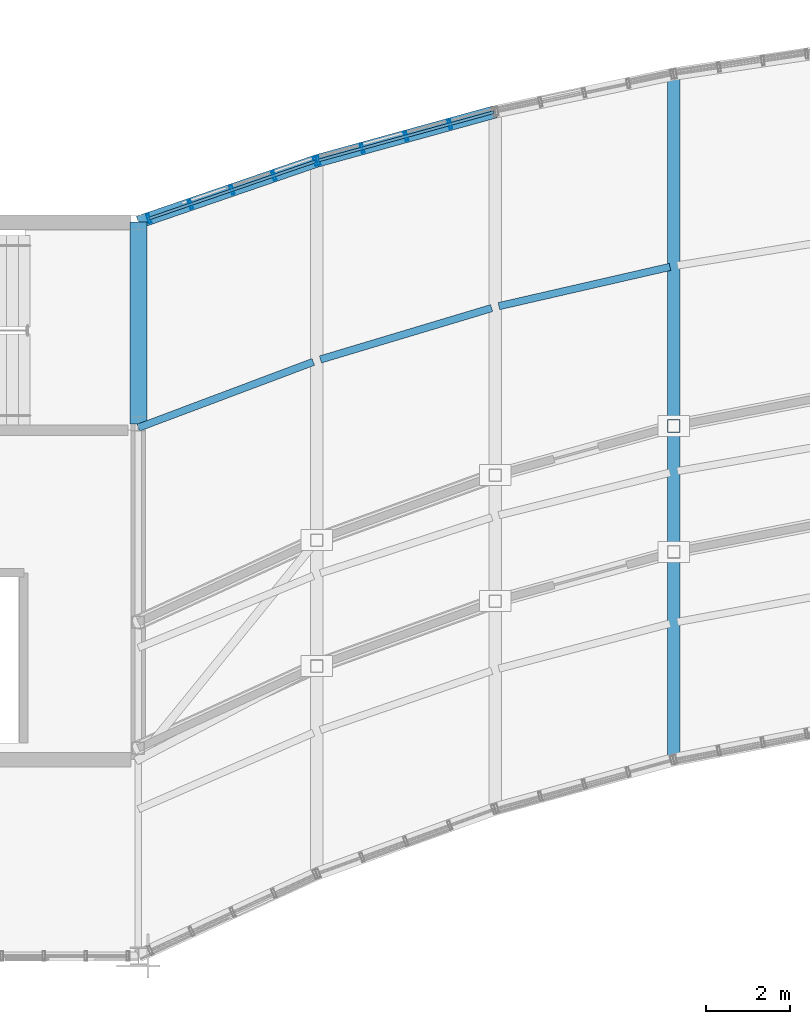
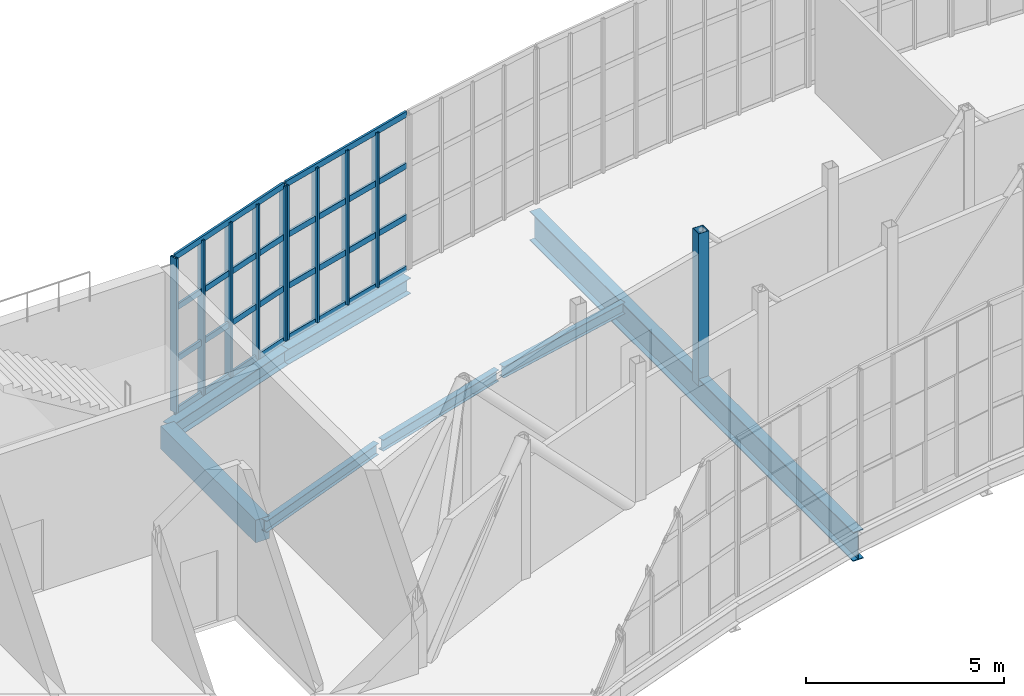
# One storey, part 25 of 46: 18 members, 7 beams, 2 elements without a shape of their own.
"""IFC4 building model written with IfcOpenShell, lengths in metres."""

from ifc_helpers import new_model, si_unit, direction, frame, origin, origin_2d, place, context, subcontext, project, spatial, rectangle, hollow_rectangle, i_section, extrude, material, material_profile, profile_set, type_object, element, aggregate, save


model = new_model("IFC4")

# Units and contexts
model_context = context("Model", 3, precision=1e-05, world=origin(), true_north=direction((0.0, 1.0)))
body_context = subcontext(model_context, "Body", "Model", "MODEL_VIEW")
ifc_project = project(units=[si_unit("LENGTHUNIT", "METRE"), si_unit("AREAUNIT", "SQUARE_METRE"), si_unit("VOLUMEUNIT", "CUBIC_METRE"), si_unit("PLANEANGLEUNIT", "RADIAN"), si_unit("MASSUNIT", "GRAM", prefix="KILO")], contexts=[model_context])

# Site, building, storey
site_placement = place(None, origin())
site = spatial("IfcSite", under=ifc_project, at=site_placement, CompositionType="ELEMENT")
building_placement = place(site_placement, origin())
building = spatial("IfcBuilding", under=site, at=building_placement, Name="Solvikara Media Centre", CompositionType="ELEMENT")
storey_placement = place(building_placement, frame((0.0, 0.0, 24.60009765625)))
storey = spatial("IfcBuildingStorey", under=building, at=storey_placement, Name="L05", CompositionType="ELEMENT", Elevation=24.60009765625)

# Beams
ifc_material_1 = material(Name="Concrete fc' 35 MPa (C35/45)", Category="concrete")
ifc_material_profile_1 = material_profile(ifc_material_1, rectangle(XDim=0.39990234375, YDim=0.699951171875, at=origin_2d()), Name="RC 400x700")
ifc_profile_set_1 = profile_set([ifc_material_profile_1], Name="Concrete fc' 35 MPa (C35/45)")
beam_type_1 = type_object("IfcBeamType", Name="BM-13", PredefinedType="SPANDREL", material=ifc_profile_set_1)
beam_1_placement = place(storey_placement, frame((76.5, 32.0, -0.570068359375), z_axis=(0.0, 1.0, 0.0), x_axis=(-1.0, 0.0, 0.0)))
element("IfcBeam", 1, at=beam_1_placement, inside=storey, type_object=beam_type_1, Name="B-L05-Y1669", PredefinedType="SPANDREL", context=body_context, shape_type="SweptSolid", body=[
    extrude(rectangle(XDim=0.39990234375, YDim=0.699951171875, at=origin_2d()), origin(), (0.0, 0.0, 1.0), 4.800048828125),
])
ifc_material_2 = material(Name="Steel S355JR", Category="steel")
ifc_material_profile_2 = material_profile(ifc_material_2, i_section(OverallWidth=0.300048828125, OverallDepth=0.89990234375, WebThickness=0.01611328125, FlangeThickness=0.028076171875, at=origin_2d()), Name="WF 900x300x16x28")
ifc_profile_set_2 = profile_set([ifc_material_profile_2], Name="Steel S355JR")
beam_type_2 = type_object("IfcBeamType", Name="BM-15", PredefinedType="BEAM", material=ifc_profile_set_2)
beam_2_placement = place(storey_placement, frame((89.25, 23.99609375, -0.672119140625), z_axis=(0.0, 1.0, 0.0), x_axis=(-1.0, 0.0, 0.0)))
element("IfcBeam", 2, at=beam_2_placement, inside=storey, type_object=beam_type_2, Name="BG-L05-NS-03", PredefinedType="BEAM", context=body_context, shape_type="SweptSolid", body=[
    extrude(i_section(OverallWidth=0.300048828125, OverallDepth=0.89990234375, WebThickness=0.01611328125, FlangeThickness=0.028076171875, at=origin_2d()), origin(), (0.0, 0.0, 1.0), 16.3330078125),
])
ifc_material_profile_3 = material_profile(ifc_material_2, i_section(OverallWidth=0.175048828125, OverallDepth=0.35009765625, WebThickness=0.007080078125, FlangeThickness=0.010986328125, at=origin_2d()), Name="WF 350x175x7x11")
ifc_profile_set_3 = profile_set([ifc_material_profile_3], Name="Steel S355JR")
beam_type_3 = type_object("IfcBeamType", Name="BM-22", PredefinedType="JOIST", material=ifc_profile_set_3)
beam_3_placement = place(storey_placement, frame((76.5, 31.906982421875, -0.397216796875), z_axis=(0.936058378207, 0.351844727955, 0.0), x_axis=(-0.351844727955, 0.936058378207, 0.0)))
element("IfcBeam", 3, at=beam_3_placement, inside=storey, type_object=beam_type_3, Name="BJ-L05-00-72", PredefinedType="JOIST", context=body_context, shape_type="SweptSolid", body=[
    extrude(i_section(OverallWidth=0.175048828125, OverallDepth=0.35009765625, WebThickness=0.007080078125, FlangeThickness=0.010986328125, at=origin_2d()), origin(), (0.0, 0.0, 1.0), 4.45068359375),
])
beam_4_placement = place(storey_placement, frame((80.8359375, 33.531005859375, -0.397216796875), z_axis=(0.95779787385, 0.287442573133, 0.0), x_axis=(-0.287442573133, 0.95779787385, 0.0)))
element("IfcBeam", 4, at=beam_4_placement, inside=storey, type_object=beam_type_3, Name="BJ-L05-01-72", PredefinedType="JOIST", context=body_context, shape_type="SweptSolid", body=[
    extrude(i_section(OverallWidth=0.175048828125, OverallDepth=0.35009765625, WebThickness=0.007080078125, FlangeThickness=0.010986328125, at=origin_2d()), origin(), (0.0, 0.0, 1.0), 4.2578125),
])
beam_5_placement = place(storey_placement, frame((85.087890625, 34.801025390625, -0.397216796875), z_axis=(0.974660207056, 0.223690591624, 0.0), x_axis=(-0.223690591624, 0.974660207056, 0.0)))
element("IfcBeam", 5, at=beam_5_placement, inside=storey, type_object=beam_type_3, Name="BJ-L05-02-72", PredefinedType="JOIST", context=body_context, shape_type="SweptSolid", body=[
    extrude(i_section(OverallWidth=0.175048828125, OverallDepth=0.35009765625, WebThickness=0.007080078125, FlangeThickness=0.010986328125, at=origin_2d()), origin(), (0.0, 0.0, 1.0), 4.18017578125),
])
ifc_material_profile_4 = material_profile(ifc_material_2, i_section(OverallWidth=0.300048828125, OverallDepth=0.48193359375, WebThickness=0.010986328125, FlangeThickness=0.014892578125, at=origin_2d()), Name="WF 482x300x11x15")
ifc_profile_set_4 = profile_set([ifc_material_profile_4], Name="Steel S355JR")
beam_type_4 = type_object("IfcBeamType", Name="BM-32", PredefinedType="SPANDREL", material=ifc_profile_set_4)
beam_6_placement = place(storey_placement, frame((76.5, 36.800048828125, -0.463134765625), z_axis=(0.945753386984, 0.324885412119, 0.0), x_axis=(-0.324885412119, 0.945753386984, 0.0)))
element("IfcBeam", 6, at=beam_6_placement, inside=storey, type_object=beam_type_4, Name="B-L05-NARC-00", PredefinedType="SPANDREL", context=body_context, shape_type="SweptSolid", body=[
    extrude(i_section(OverallWidth=0.300048828125, OverallDepth=0.48193359375, WebThickness=0.010986328125, FlangeThickness=0.014892578125, at=origin_2d()), origin(), (0.0, 0.0, 1.0), 4.49365234375),
])
beam_7_placement = place(storey_placement, frame((80.75, 38.260009765625, -0.463134765625), z_axis=(0.964080686077, 0.265609545636, 0.0), x_axis=(-0.265609545636, 0.964080686077, 0.0)))
element("IfcBeam", 7, at=beam_7_placement, inside=storey, type_object=beam_type_4, Name="B-L05-NARC-01", PredefinedType="SPANDREL", context=body_context, shape_type="SweptSolid", body=[
    extrude(i_section(OverallWidth=0.300048828125, OverallDepth=0.48193359375, WebThickness=0.010986328125, FlangeThickness=0.014892578125, at=origin_2d()), origin(), (0.0, 0.0, 1.0), 4.408447265625),
])

# Member
ifc_material_profile_5 = material_profile(ifc_material_2, hollow_rectangle(XDim=0.300048828125, YDim=0.300048828125, WallThickness=0.012451171875, at=origin_2d()), Name="RHS 300x300x12.5")
ifc_profile_set_5 = profile_set([ifc_material_profile_5], Name="Steel S355JR")
member_type_1 = type_object("IfcMemberType", Name="MB-11", PredefinedType="CHORD", material=ifc_profile_set_5)
member_1_placement = place(storey_placement, frame((89.25, 31.946044921875, -0.4501953125), z_axis=(0.0, 0.0, 1.0), x_axis=(1.0, 0.0, 0.0)))
element("IfcMember", 8, at=member_1_placement, inside=storey, type_object=member_type_1, Name="WTR-L05-N-V03", PredefinedType="CHORD", context=body_context, shape_type="SweptSolid", body=[
    extrude(hollow_rectangle(XDim=0.300048828125, YDim=0.300048828125, WallThickness=0.012451171875, at=origin_2d()), origin(), (0.0, 0.0, 1.0), 4.7001953125),
])

# Curtain wall, members
ifc_material_3 = material(Name="Anodised aluminium EN AW-6063", Category="aluminium")
curtain_wall_type = type_object("IfcCurtainWallType", Name="CW-02", PredefinedType="NOTDEFINED", material=ifc_material_3)
curtain_wall_1_placement = place(storey_placement, origin())
curtain_wall_1 = element("IfcCurtainWall", 9, at=curtain_wall_1_placement, inside=storey, type_object=curtain_wall_type, Name="CW-L05-NARC-00", PredefinedType="NOTDEFINED")
ifc_material_profile_6 = material_profile(ifc_material_3, hollow_rectangle(XDim=0.06494140625, YDim=0.219970703125, WallThickness=0.00390625, at=origin_2d()), Name="ALU-M 65x220x4")
ifc_profile_set_6 = profile_set([ifc_material_profile_6], Name="Anodised aluminium EN AW-6063")
member_type_2 = type_object("IfcMemberType", Name="MF-01", PredefinedType="MULLION", material=ifc_profile_set_6)
member_2_placement = place(storey_placement, frame((76.748046875, 36.885009765625, 0.02001953125), z_axis=(0.0, 0.0, 1.0), x_axis=(0.945711605144, 0.32500701515, 0.0)))
member_2 = element("IfcMember", 10, at=member_2_placement, type_object=member_type_2, Name="CW-L05-NARC-00-M00", PredefinedType="MULLION", context=body_context, shape_type="SweptSolid", body=[
    extrude(hollow_rectangle(XDim=0.06494140625, YDim=0.219970703125, WallThickness=0.00390625, at=origin_2d()), origin(), (0.0, 0.0, 1.0), 4.759765625),
])
member_3_placement = place(storey_placement, frame((77.739990234375, 37.22607421875, 0.02001953125), z_axis=(0.0, 0.0, 1.0), x_axis=(0.945711605144, 0.32500701515, 0.0)))
member_3 = element("IfcMember", 11, at=member_3_placement, type_object=member_type_2, Name="CW-L05-NARC-00-M01", PredefinedType="MULLION", context=body_context, shape_type="SweptSolid", body=[
    extrude(hollow_rectangle(XDim=0.06494140625, YDim=0.219970703125, WallThickness=0.00390625, at=origin_2d()), origin(), (0.0, 0.0, 1.0), 4.759765625),
])
member_4_placement = place(storey_placement, frame((78.73193359375, 37.56689453125, 0.02001953125), z_axis=(0.0, 0.0, 1.0), x_axis=(0.945711605144, 0.32500701515, 0.0)))
member_4 = element("IfcMember", 12, at=member_4_placement, type_object=member_type_2, Name="CW-L05-NARC-00-M02", PredefinedType="MULLION", context=body_context, shape_type="SweptSolid", body=[
    extrude(hollow_rectangle(XDim=0.06494140625, YDim=0.219970703125, WallThickness=0.00390625, at=origin_2d()), origin(), (0.0, 0.0, 1.0), 4.759765625),
])
member_5_placement = place(storey_placement, frame((79.72509765625, 37.907958984375, 0.02001953125), z_axis=(0.0, 0.0, 1.0), x_axis=(0.945711605144, 0.32500701515, 0.0)))
member_5 = element("IfcMember", 13, at=member_5_placement, type_object=member_type_2, Name="CW-L05-NARC-00-M03", PredefinedType="MULLION", context=body_context, shape_type="SweptSolid", body=[
    extrude(hollow_rectangle(XDim=0.06494140625, YDim=0.219970703125, WallThickness=0.00390625, at=origin_2d()), origin(), (0.0, 0.0, 1.0), 4.759765625),
])
member_6_placement = place(storey_placement, frame((80.717041015625, 38.2490234375, 0.02001953125), z_axis=(0.0, 0.0, 1.0), x_axis=(0.945711605144, 0.32500701515, 0.0)))
member_6 = element("IfcMember", 14, at=member_6_placement, type_object=member_type_2, Name="CW-L05-NARC-00-M04", PredefinedType="MULLION", context=body_context, shape_type="SweptSolid", body=[
    extrude(hollow_rectangle(XDim=0.06494140625, YDim=0.219970703125, WallThickness=0.00390625, at=origin_2d()), origin(), (0.0, 0.0, 1.0), 4.759765625),
])

curtain_wall_2_placement = place(storey_placement, origin())
curtain_wall_2 = element("IfcCurtainWall", 15, at=curtain_wall_2_placement, inside=storey, type_object=curtain_wall_type, Name="CW-L05-NARC-01", PredefinedType="NOTDEFINED")
member_7_placement = place(storey_placement, frame((80.783935546875, 38.26904296875, 0.02001953125), z_axis=(0.0, 0.0, 1.0), x_axis=(0.964030487854, 0.265791682504, 0.0)))
member_7 = element("IfcMember", 16, at=member_7_placement, type_object=member_type_2, Name="CW-L05-NARC-01-M00", PredefinedType="MULLION", context=body_context, shape_type="SweptSolid", body=[
    extrude(hollow_rectangle(XDim=0.06494140625, YDim=0.219970703125, WallThickness=0.00390625, at=origin_2d()), origin(), (0.0, 0.0, 1.0), 4.759765625),
])
member_8_placement = place(storey_placement, frame((81.830078125, 38.556884765625, 0.02001953125), z_axis=(0.0, 0.0, 1.0), x_axis=(0.964030487854, 0.265791682504, 0.0)))
member_8 = element("IfcMember", 17, at=member_8_placement, type_object=member_type_2, Name="CW-L05-NARC-01-M01", PredefinedType="MULLION", context=body_context, shape_type="SweptSolid", body=[
    extrude(hollow_rectangle(XDim=0.06494140625, YDim=0.219970703125, WallThickness=0.00390625, at=origin_2d()), origin(), (0.0, 0.0, 1.0), 4.759765625),
])
member_9_placement = place(storey_placement, frame((82.875, 38.844970703125, 0.02001953125), z_axis=(0.0, 0.0, 1.0), x_axis=(0.964030487854, 0.265791682504, 0.0)))
member_9 = element("IfcMember", 18, at=member_9_placement, type_object=member_type_2, Name="CW-L05-NARC-01-M02", PredefinedType="MULLION", context=body_context, shape_type="SweptSolid", body=[
    extrude(hollow_rectangle(XDim=0.06494140625, YDim=0.219970703125, WallThickness=0.00390625, at=origin_2d()), origin(), (0.0, 0.0, 1.0), 4.759765625),
])
member_10_placement = place(storey_placement, frame((83.9208984375, 39.134033203125, 0.02001953125), z_axis=(0.0, 0.0, 1.0), x_axis=(0.964030487854, 0.265791682504, 0.0)))
member_10 = element("IfcMember", 19, at=member_10_placement, type_object=member_type_2, Name="CW-L05-NARC-01-M03", PredefinedType="MULLION", context=body_context, shape_type="SweptSolid", body=[
    extrude(hollow_rectangle(XDim=0.06494140625, YDim=0.219970703125, WallThickness=0.00390625, at=origin_2d()), origin(), (0.0, 0.0, 1.0), 4.759765625),
])

# Member
ifc_material_profile_7 = material_profile(ifc_material_3, hollow_rectangle(XDim=0.06494140625, YDim=0.179931640625, WallThickness=0.00341796875, at=origin_2d()), Name="ALU-T 65x180x3.5")
ifc_profile_set_7 = profile_set([ifc_material_profile_7], Name="Anodised aluminium EN AW-6063")
member_type_3 = type_object("IfcMemberType", Name="MF-07", PredefinedType="USERDEFINED", material=ifc_profile_set_7)
member_11_placement = place(storey_placement, frame((76.748046875, 36.885009765625, 0.02001953125), z_axis=(0.945710627814, 0.32500985899, 0.0), x_axis=(-0.32500985899, 0.945710627814, 0.0)))
member_11 = element("IfcMember", 20, at=member_11_placement, type_object=member_type_3, Name="CW-L05-NARC-00-T00", ObjectType="TRANSOM", PredefinedType="USERDEFINED", context=body_context, shape_type="SweptSolid", body=[
    extrude(hollow_rectangle(XDim=0.06494140625, YDim=0.179931640625, WallThickness=0.00341796875, at=origin_2d()), origin(), (0.0, 0.0, 1.0), 4.19677734375),
])

member_12_placement = place(storey_placement, frame((76.748046875, 36.885009765625, 1.60693359375), z_axis=(0.945710627814, 0.32500985899, 0.0), x_axis=(-0.32500985899, 0.945710627814, 0.0)))
member_12 = element("IfcMember", 21, at=member_12_placement, type_object=member_type_3, Name="CW-L05-NARC-00-T01", ObjectType="TRANSOM", PredefinedType="USERDEFINED", context=body_context, shape_type="SweptSolid", body=[
    extrude(hollow_rectangle(XDim=0.06494140625, YDim=0.179931640625, WallThickness=0.00341796875, at=origin_2d()), origin(), (0.0, 0.0, 1.0), 4.19677734375),
])

member_13_placement = place(storey_placement, frame((76.748046875, 36.885009765625, 3.19287109375), z_axis=(0.945710627814, 0.32500985899, 0.0), x_axis=(-0.32500985899, 0.945710627814, 0.0)))
member_13 = element("IfcMember", 22, at=member_13_placement, type_object=member_type_3, Name="CW-L05-NARC-00-T02", ObjectType="TRANSOM", PredefinedType="USERDEFINED", context=body_context, shape_type="SweptSolid", body=[
    extrude(hollow_rectangle(XDim=0.06494140625, YDim=0.179931640625, WallThickness=0.00341796875, at=origin_2d()), origin(), (0.0, 0.0, 1.0), 4.19677734375),
])

member_14_placement = place(storey_placement, frame((76.748046875, 36.885009765625, 4.77978515625), z_axis=(0.945710627814, 0.32500985899, 0.0), x_axis=(-0.32500985899, 0.945710627814, 0.0)))
member_14 = element("IfcMember", 23, at=member_14_placement, type_object=member_type_3, Name="CW-L05-NARC-00-T03", ObjectType="TRANSOM", PredefinedType="USERDEFINED", context=body_context, shape_type="SweptSolid", body=[
    extrude(hollow_rectangle(XDim=0.06494140625, YDim=0.179931640625, WallThickness=0.00341796875, at=origin_2d()), origin(), (0.0, 0.0, 1.0), 4.19677734375),
])

aggregate(curtain_wall_1, [member_2, member_3, member_4, member_5, member_6, member_11, member_12, member_13, member_14])

member_15_placement = place(storey_placement, frame((80.783935546875, 38.26904296875, 0.02001953125), z_axis=(0.96402892513, 0.265797350461, 0.0), x_axis=(-0.265797350461, 0.96402892513, 0.0)))
member_15 = element("IfcMember", 24, at=member_15_placement, type_object=member_type_3, Name="CW-L05-NARC-01-T00", ObjectType="TRANSOM", PredefinedType="USERDEFINED", context=body_context, shape_type="SweptSolid", body=[
    extrude(hollow_rectangle(XDim=0.06494140625, YDim=0.179931640625, WallThickness=0.00341796875, at=origin_2d()), origin(), (0.0, 0.0, 1.0), 4.338134765625),
])

member_16_placement = place(storey_placement, frame((80.783935546875, 38.26904296875, 1.60693359375), z_axis=(0.96402892513, 0.265797350461, 0.0), x_axis=(-0.265797350461, 0.96402892513, 0.0)))
member_16 = element("IfcMember", 25, at=member_16_placement, type_object=member_type_3, Name="CW-L05-NARC-01-T01", ObjectType="TRANSOM", PredefinedType="USERDEFINED", context=body_context, shape_type="SweptSolid", body=[
    extrude(hollow_rectangle(XDim=0.06494140625, YDim=0.179931640625, WallThickness=0.00341796875, at=origin_2d()), origin(), (0.0, 0.0, 1.0), 4.338134765625),
])

member_17_placement = place(storey_placement, frame((80.783935546875, 38.26904296875, 3.19287109375), z_axis=(0.96402892513, 0.265797350461, 0.0), x_axis=(-0.265797350461, 0.96402892513, 0.0)))
member_17 = element("IfcMember", 26, at=member_17_placement, type_object=member_type_3, Name="CW-L05-NARC-01-T02", ObjectType="TRANSOM", PredefinedType="USERDEFINED", context=body_context, shape_type="SweptSolid", body=[
    extrude(hollow_rectangle(XDim=0.06494140625, YDim=0.179931640625, WallThickness=0.00341796875, at=origin_2d()), origin(), (0.0, 0.0, 1.0), 4.338134765625),
])

member_18_placement = place(storey_placement, frame((80.783935546875, 38.26904296875, 4.77978515625), z_axis=(0.96402892513, 0.265797350461, 0.0), x_axis=(-0.265797350461, 0.96402892513, 0.0)))
member_18 = element("IfcMember", 27, at=member_18_placement, type_object=member_type_3, Name="CW-L05-NARC-01-T03", ObjectType="TRANSOM", PredefinedType="USERDEFINED", context=body_context, shape_type="SweptSolid", body=[
    extrude(hollow_rectangle(XDim=0.06494140625, YDim=0.179931640625, WallThickness=0.00341796875, at=origin_2d()), origin(), (0.0, 0.0, 1.0), 4.338134765625),
])

aggregate(curtain_wall_2, [member_7, member_8, member_9, member_10, member_15, member_16, member_17, member_18])

save(model, "model.ifc")
